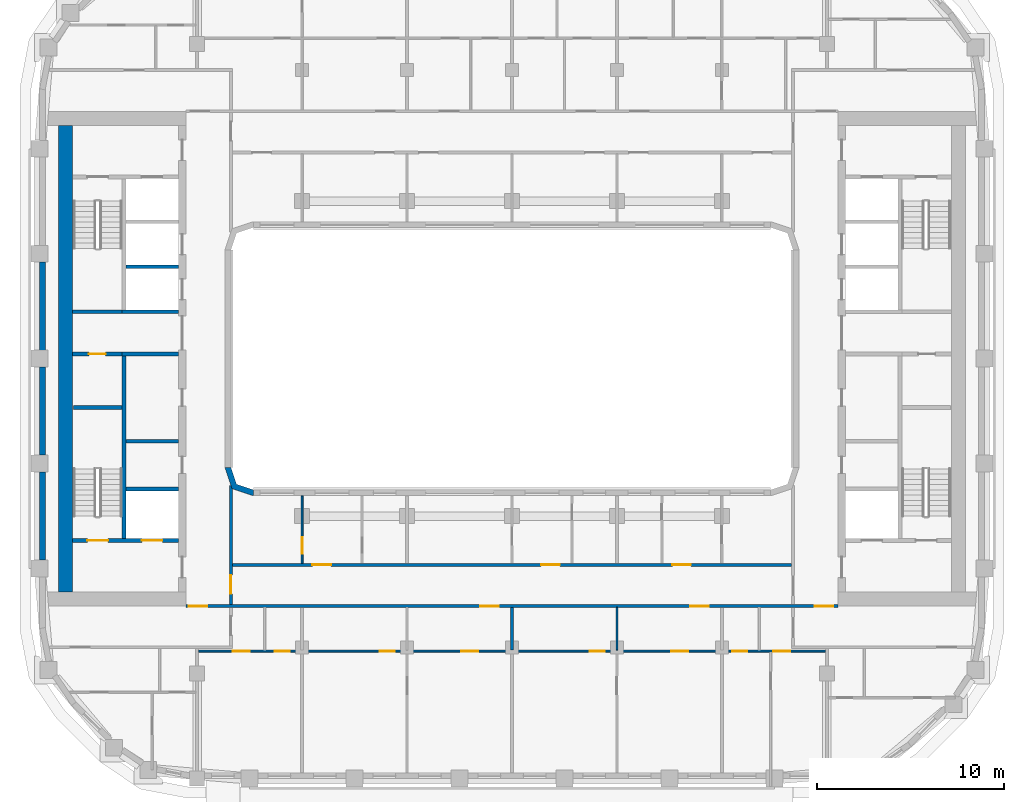
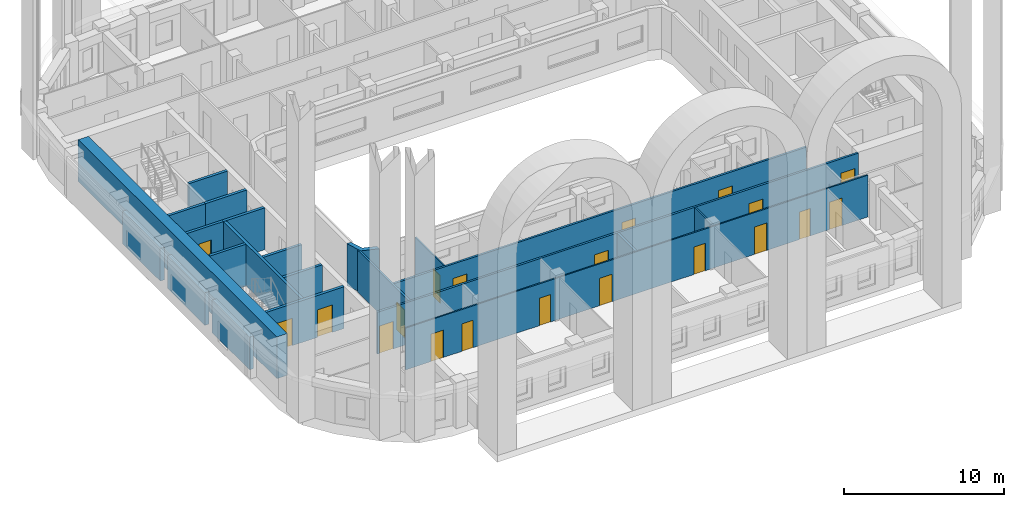
# One storey, part 3 of 20: 22 walls, 20 doors, 20 openings.
"""IFC4 building model written with IfcOpenShell, lengths in metres."""

from ifc_helpers import new_model, si_unit, direction, frame, frame_2d, origin, place, context, subcontext, project, spatial, polyline, rectangle, outline, extrude, material, layer, layer_set, type_object, element, fill, save


model = new_model("IFC4")

# Units and contexts
model_context = context("Model", 3, precision=1e-05, world=origin(), true_north=direction((0.0, 1.0)))
body_context = subcontext(model_context, "Body", "Model", "MODEL_VIEW")
ifc_project = project(units=[si_unit("LENGTHUNIT", "METRE"), si_unit("AREAUNIT", "SQUARE_METRE"), si_unit("VOLUMEUNIT", "CUBIC_METRE"), si_unit("PLANEANGLEUNIT", "RADIAN"), si_unit("MASSUNIT", "GRAM", prefix="KILO")], contexts=[model_context])

# Site, building, storey
site_placement = place(None, origin())
site = spatial("IfcSite", under=ifc_project, at=site_placement, CompositionType="ELEMENT")
building_placement = place(site_placement, origin())
building = spatial("IfcBuilding", under=site, at=building_placement, Name="Kiln Ring Residences", CompositionType="ELEMENT")
storey_placement = place(building_placement, frame((0.0, 0.0, 188.89990234375)))
storey = spatial("IfcBuildingStorey", under=building, at=storey_placement, Name="L48", CompositionType="ELEMENT", Elevation=188.89990234375)

# Wall, opening, door
ifc_material_1 = material(Name="Gypsum board on steel studs", Category="steel")
ifc_layer_1 = layer(ifc_material_1, 0.199951171875)
ifc_layer_set_1 = layer_set([ifc_layer_1], Name="CORE-PARTITION-200")
wall_type_1 = type_object("IfcWallType", Name="CORE-PARTITION-200", PredefinedType="PARTITIONING", material=ifc_layer_set_1)
wall_1_placement = place(storey_placement, frame((-20.800048828125, 0.25, 0.0), z_axis=(0.0, 0.0, 1.0), x_axis=(-1.0, 0.0, 0.0)))
wall_1 = element("IfcWall", 1, at=wall_1_placement, inside=storey, type_object=wall_type_1, Name="Core partition west L48 1", PredefinedType="PARTITIONING", context=body_context, shape_type="SweptSolid", body=[
    extrude(rectangle(XDim=2.64990234375, YDim=0.199951171875, at=frame_2d((1.324951171875, 0.0))), origin(), (0.0, 0.0, 1.0), 3.2001953125),
])
opening_1_placement = place(wall_1_placement, frame((0.875, 0.0, 0.0)))
opening_1 = element("IfcOpeningElement", 2, at=opening_1_placement, cuts=wall_1, Name="Opening L48-CW12", PredefinedType="OPENING", context=body_context, shape_type="SweptSolid", body=[
    extrude(rectangle(XDim=0.89990234375, YDim=2.10009765625, at=frame_2d((0.449951171875, 1.050048828125))), frame((0.0, 0.10986328125, 0.0), z_axis=(0.0, -1.0, 0.0), x_axis=(1.0, 0.0, 0.0)), (0.0, 0.0, 1.0), 0.219970703125),
])
ifc_material_2 = material(Name="Steel door leaf", Category="steel")
door_type_1 = type_object("IfcDoorType", Name="CORE-DOOR-ROOM", OperationType="SINGLE_SWING_LEFT", PredefinedType="DOOR", material=ifc_material_2)
door_1_placement = place(opening_1_placement, origin())
door_1 = element("IfcDoor", 3, at=door_1_placement, inside=storey, type_object=door_type_1, Name="Electrical riser room L48-CW12", OperationType="SINGLE_SWING_RIGHT", OverallHeight=2.10009765625, OverallWidth=0.89990234375, PredefinedType="DOOR", context=body_context, shape_type="SweptSolid", body=[
    extrude(rectangle(XDim=0.89990234375, YDim=2.10009765625, at=frame_2d((0.449951171875, 1.050048828125))), frame((0.0, 0.02490234375, 0.0), z_axis=(0.0, -1.0, 0.0), x_axis=(1.0, 0.0, 0.0)), (0.0, 0.0, 1.0), 0.050048828125),
])
fill(opening_1, door_1)

# Walls
wall_2_placement = place(storey_placement, frame((-17.800048828125, -4.39990234375, 0.0), z_axis=(0.0, 0.0, 1.0), x_axis=(-1.0, 0.0, 0.0)))
element("IfcWall", 4, at=wall_2_placement, inside=storey, type_object=wall_type_1, Name="Core partition west L48 2", PredefinedType="PARTITIONING", context=body_context, shape_type="SweptSolid", body=[
    extrude(rectangle(XDim=2.800048828125, YDim=0.199951171875, at=frame_2d((1.39990234375, 0.0))), origin(), (0.0, 0.0, 1.0), 3.2001953125),
])
ifc_material_3 = material(Name="Gypsum shaft wall system")
ifc_layer_2 = layer(ifc_material_3, 0.199951171875)
ifc_layer_set_2 = layer_set([ifc_layer_2], Name="CORE-SHAFT-WALL-200")
wall_type_2 = type_object("IfcWallType", Name="CORE-SHAFT-WALL-200", PredefinedType="PARTITIONING", material=ifc_layer_set_2)
wall_3_placement = place(storey_placement, frame((-17.800048828125, -6.949951171875, 0.0), z_axis=(0.0, 0.0, 1.0), x_axis=(-1.0, 0.0, 0.0)))
element("IfcWall", 5, at=wall_3_placement, inside=storey, type_object=wall_type_2, Name="Core partition west L48 3", PredefinedType="PARTITIONING", context=body_context, shape_type="SweptSolid", body=[
    extrude(rectangle(XDim=2.800048828125, YDim=0.199951171875, at=frame_2d((1.39990234375, 0.0))), origin(), (0.0, 0.0, 1.0), 3.2001953125),
])
for number, where, z_axis, x_axis, name in (
    (6, (-17.800048828125, 0.25, 0.0), (0.0, 0.0, 1.0), (-1.0, 0.0, 0.0), "Core partition west L48 4"),
    (7, (-17.800048828125, 2.5, 0.0), (0.0, 0.0, 1.0), (-1.0, 0.0, 0.0), "Core partition west L48 5"),
):
    element("IfcWall", number, at=place(storey_placement, frame(where, z_axis=z_axis, x_axis=x_axis)), inside=storey, type_object=wall_type_2, Name=name, PredefinedType="PARTITIONING", context=body_context, shape_type="SweptSolid", body=[
        extrude(rectangle(XDim=3.0, YDim=0.199951171875, at=frame_2d((1.5, 0.0))), origin(), (0.0, 0.0, 1.0), 3.2001953125),
    ])
wall_4_placement = place(storey_placement, frame((-17.800048828125, 4.89990234375, 0.0), z_axis=(0.0, 0.0, 1.0), x_axis=(-1.0, 0.0, 0.0)))
element("IfcWall", 8, at=wall_4_placement, inside=storey, type_object=wall_type_2, Name="Core partition west L48 6", PredefinedType="PARTITIONING", context=body_context, shape_type="SweptSolid", body=[
    extrude(rectangle(XDim=2.800048828125, YDim=0.199951171875, at=frame_2d((1.39990234375, 0.0))), origin(), (0.0, 0.0, 1.0), 3.2001953125),
])
ifc_material_4 = material(Name="Concrete C40/50", Category="concrete")
ifc_layer_3 = layer(ifc_material_4, 0.199951171875)
ifc_layer_set_3 = layer_set([ifc_layer_3], Name="CORE-WALL-RC200")
wall_type_3 = type_object("IfcWallType", Name="CORE-WALL-RC200", PredefinedType="SHEAR", material=ifc_layer_set_3)
wall_5_placement = place(storey_placement, frame((-20.699951171875, -9.60009765625, 0.0), z_axis=(0.0, 0.0, 1.0), x_axis=(0.0, 1.0, 0.0)))
element("IfcWall", 9, at=wall_5_placement, inside=storey, type_object=wall_type_3, Name="Core wall west L48 2", PredefinedType="SHEAR", context=body_context, shape_type="SweptSolid", body=[
    extrude(rectangle(XDim=9.75, YDim=0.199951171875, at=frame_2d((4.875, 0.0))), origin(), (0.0, 0.0, 1.0), 3.2001953125),
])
wall_6_placement = place(storey_placement, frame((-20.800048828125, 2.5, 0.0), z_axis=(0.0, 0.0, 1.0), x_axis=(-1.0, 0.0, 0.0)))
element("IfcWall", 10, at=wall_6_placement, inside=storey, type_object=wall_type_3, Name="Core wall west L48 3", PredefinedType="SHEAR", context=body_context, shape_type="SweptSolid", body=[
    extrude(rectangle(XDim=2.64990234375, YDim=0.199951171875, at=frame_2d((1.324951171875, 0.0))), origin(), (0.0, 0.0, 1.0), 3.2001953125),
])

# Wall, openings, doors
wall_7_placement = place(storey_placement, frame((-17.800048828125, -9.699951171875, 0.0), z_axis=(0.0, 0.0, 1.0), x_axis=(-1.0, 0.0, 0.0)))
wall_7 = element("IfcWall", 11, at=wall_7_placement, inside=storey, type_object=wall_type_3, Name="Core wall west L48 8", PredefinedType="SHEAR", context=body_context, shape_type="SweptSolid", body=[
    extrude(rectangle(XDim=5.64990234375, YDim=0.199951171875, at=frame_2d((2.824951171875, 0.0))), origin(), (0.0, 0.0, 1.0), 3.2001953125),
])
opening_2_placement = place(wall_7_placement, frame((0.85009765625, 0.0, 0.0)))
opening_2 = element("IfcOpeningElement", 12, at=opening_2_placement, cuts=wall_7, Name="Opening L48-CW01", PredefinedType="OPENING", context=body_context, shape_type="SweptSolid", body=[
    extrude(rectangle(XDim=1.10009765625, YDim=2.10009765625, at=frame_2d((0.550048828125, 1.050048828125))), frame((0.0, 0.10986328125, 0.0), z_axis=(0.0, -1.0, 0.0), x_axis=(1.0, 0.0, 0.0)), (0.0, 0.0, 1.0), 0.219970703125),
])
opening_3_placement = place(wall_7_placement, frame((3.75, 0.0, 0.0)))
opening_3 = element("IfcOpeningElement", 13, at=opening_3_placement, cuts=wall_7, Name="Opening L48-CW10", PredefinedType="OPENING", context=body_context, shape_type="SweptSolid", body=[
    extrude(rectangle(XDim=1.10009765625, YDim=2.10009765625, at=frame_2d((0.550048828125, 1.050048828125))), frame((0.0, 0.10986328125, 0.0), z_axis=(0.0, -1.0, 0.0), x_axis=(1.0, 0.0, 0.0)), (0.0, 0.0, 1.0), 0.219970703125),
])
ifc_material_5 = material(Name="Steel door leaf", Category="steel")
door_type_2 = type_object("IfcDoorType", Name="CORE-DOOR-LD", OperationType="DOUBLE_DOOR_SLIDING", PredefinedType="DOOR", material=ifc_material_5)
door_2_placement = place(opening_2_placement, origin())
door_2 = element("IfcDoor", 14, at=door_2_placement, inside=storey, type_object=door_type_2, Name="LD W-SV L48-CW01", OperationType="DOUBLE_DOOR_SLIDING", OverallHeight=2.10009765625, OverallWidth=1.10009765625, PredefinedType="DOOR", context=body_context, shape_type="SweptSolid", body=[
    extrude(rectangle(XDim=1.10009765625, YDim=2.10009765625, at=frame_2d((0.550048828125, 1.050048828125))), frame((0.0, 0.02490234375, 0.0), z_axis=(0.0, -1.0, 0.0), x_axis=(1.0, 0.0, 0.0)), (0.0, 0.0, 1.0), 0.050048828125),
])
fill(opening_2, door_2)
ifc_material_6 = material(Name="Steel door leaf", Category="steel")
door_type_3 = type_object("IfcDoorType", Name="CORE-DOOR-STAIR", OperationType="SINGLE_SWING_LEFT", PredefinedType="DOOR", material=ifc_material_6)
door_3_placement = place(opening_3_placement, origin())
door_3 = element("IfcDoor", 15, at=door_3_placement, inside=storey, type_object=door_type_3, Name="Stair W-STS L48-CW10", OperationType="SINGLE_SWING_LEFT", OverallHeight=2.10009765625, OverallWidth=1.10009765625, PredefinedType="DOOR", context=body_context, shape_type="SweptSolid", body=[
    extrude(rectangle(XDim=1.10009765625, YDim=2.10009765625, at=frame_2d((0.550048828125, 1.050048828125))), frame((0.0, 0.02490234375, 0.0), z_axis=(0.0, -1.0, 0.0), x_axis=(1.0, 0.0, 0.0)), (0.0, 0.0, 1.0), 0.050048828125),
])
fill(opening_3, door_3)

# Walls
wall_8_placement = place(storey_placement, frame((-20.800048828125, -2.60009765625, 0.0), z_axis=(0.0, 0.0, 1.0), x_axis=(-1.0, 0.0, 0.0)))
element("IfcWall", 16, at=wall_8_placement, inside=storey, type_object=wall_type_3, Name="Core wall west L48 10", PredefinedType="SHEAR", context=body_context, shape_type="SweptSolid", body=[
    extrude(rectangle(XDim=2.599853515625, YDim=0.199951171875, at=frame_2d((1.2998046875, 0.0))), origin(), (0.0, 0.0, 1.0), 3.2001953125),
])
ifc_material_7 = material(Name="Concrete C60/75", Category="concrete")
ifc_layer_4 = layer(ifc_material_7, 0.75)
ifc_layer_set_4 = layer_set([ifc_layer_4], Name="CORE-WALL-RC750")
wall_type_4 = type_object("IfcWallType", Name="CORE-WALL-RC750", PredefinedType="SHEAR", material=ifc_layer_set_4)
wall_9_placement = place(storey_placement, frame((-23.824951171875, -12.449951171875, 0.0), z_axis=(0.0, 0.0, 1.0), x_axis=(0.0, 1.0, 0.0)))
element("IfcWall", 17, at=wall_9_placement, inside=storey, type_object=wall_type_4, Name="Core wall west L48 7", PredefinedType="SHEAR", context=body_context, shape_type="SweptSolid", body=[
    extrude(rectangle(XDim=24.89990234375, YDim=0.75, at=frame_2d((12.449951171875, 0.0))), origin(), (0.0, 0.0, 1.0), 3.2001953125),
])
ifc_material_8 = material(Name="Brick masonry, dark clay brick", Category="masonry")
ifc_layer_5 = layer(ifc_material_8, 0.300048828125)
ifc_layer_set_5 = layer_set([ifc_layer_5], Name="EW-300 BRICK WALL")
wall_type_5 = type_object("IfcWallType", Name="EW-300 BRICK WALL", PredefinedType="SOLIDWALL", material=ifc_layer_set_5)
for number, where, z_axis, x_axis, name in (
    (18, (-25.050048828125, 5.14990234375, 0.0), (0.0, 0.0, 1.0), (0.0, -1.0, 0.0), "Facade wall L48 41"),
    (19, (-25.050048828125, -0.449951171875, 0.0), (0.0, 0.0, 1.0), (0.0, -1.0, 0.0), "Facade wall L48 42"),
    (20, (-25.050048828125, -6.050048828125, 0.0), (0.0, 0.0, 1.0), (0.0, -1.0, 0.0), "Facade wall L48 43"),
):
    element("IfcWall", number, at=place(storey_placement, frame(where, z_axis=z_axis, x_axis=x_axis)), inside=storey, type_object=wall_type_5, Name=name, PredefinedType="SOLIDWALL", context=body_context, shape_type="SweptSolid", body=[
        extrude(rectangle(XDim=4.699951171875, YDim=0.300048828125, at=frame_2d((2.35009765625, 0.0))), origin(), (0.0, 0.0, 1.0), 2.5),
    ])
wall_10_placement = place(storey_placement, origin())
element("IfcWall", 21, at=wall_10_placement, inside=storey, type_object=wall_type_5, Name="Corner wall L48 4", PredefinedType="SOLIDWALL", context=body_context, shape_type="SweptSolid", body=[
    extrude(outline(polyline([(-14.937255859375, -6.937255859375), (-13.8486328125, -7.300048828125), (-13.800048828125, -7.300048828125), (-13.800048828125, -7.0), (-14.699951171875, -6.699951171875), (-15.0, -5.800048828125), (-15.300048828125, -5.800048828125), (-15.300048828125, -5.8486328125), (-14.937255859375, -6.937255859375)])), origin(), (0.0, 0.0, 1.0), 3.2001953125),
])

# Wall, openings, doors
ifc_material_9 = material(Name="Gypsum board on steel studs", Category="steel")
ifc_layer_6 = layer(ifc_material_9, 0.10009765625)
ifc_layer_set_6 = layer_set([ifc_layer_6], Name="PARTITION-100")
wall_type_6 = type_object("IfcWallType", Name="PARTITION-100", PredefinedType="PARTITIONING", material=ifc_layer_set_6)
wall_11_placement = place(storey_placement, frame((-16.72509765625, -15.60009765625, 0.0), z_axis=(0.0, 0.0, 1.0), x_axis=(1.0, 0.0, 0.0)))
wall_11 = element("IfcWall", 22, at=wall_11_placement, inside=storey, type_object=wall_type_6, Name="Partition 002", PredefinedType="PARTITIONING", context=body_context, shape_type="SweptSolid", body=[
    extrude(rectangle(XDim=33.4501953125, YDim=0.10009765625, at=frame_2d((16.72509765625, 0.0))), origin(), (0.0, 0.0, 1.0), 3.2001953125),
])
opening_4_placement = place(wall_11_placement, frame((4.074951171875, 0.0, 0.0)))
opening_4 = element("IfcOpeningElement", 23, at=opening_4_placement, cuts=wall_11, Name="Opening L48-D048", PredefinedType="OPENING", context=body_context, shape_type="SweptSolid", body=[
    extrude(rectangle(XDim=0.800048828125, YDim=2.10009765625, at=frame_2d((0.39990234375, 1.050048828125))), frame((0.0, 0.06005859375, 0.0), z_axis=(0.0, -1.0, 0.0), x_axis=(1.0, 0.0, 0.0)), (0.0, 0.0, 1.0), 0.1201171875),
])
opening_5_placement = place(wall_11_placement, frame((1.824951171875, 0.0, 0.0)))
opening_5 = element("IfcOpeningElement", 24, at=opening_5_placement, cuts=wall_11, Name="Opening L48-D049", PredefinedType="OPENING", context=body_context, shape_type="SweptSolid", body=[
    extrude(rectangle(XDim=0.89990234375, YDim=2.10009765625, at=frame_2d((0.449951171875, 1.050048828125))), frame((0.0, 0.06005859375, 0.0), z_axis=(0.0, -1.0, 0.0), x_axis=(1.0, 0.0, 0.0)), (0.0, 0.0, 1.0), 0.1201171875),
])
opening_6_placement = place(wall_11_placement, frame((9.675048828125, 0.0, 0.0)))
opening_6 = element("IfcOpeningElement", 25, at=opening_6_placement, cuts=wall_11, Name="Opening L48-D051", PredefinedType="OPENING", context=body_context, shape_type="SweptSolid", body=[
    extrude(rectangle(XDim=0.800048828125, YDim=2.10009765625, at=frame_2d((0.39990234375, 1.050048828125))), frame((0.0, 0.06005859375, 0.0), z_axis=(0.0, -1.0, 0.0), x_axis=(1.0, 0.0, 0.0)), (0.0, 0.0, 1.0), 0.1201171875),
])
opening_7_placement = place(wall_11_placement, frame((14.02490234375, 0.0, 0.0)))
opening_7 = element("IfcOpeningElement", 26, at=opening_7_placement, cuts=wall_11, Name="Opening L48-D052", PredefinedType="OPENING", context=body_context, shape_type="SweptSolid", body=[
    extrude(rectangle(XDim=0.89990234375, YDim=2.10009765625, at=frame_2d((0.449951171875, 1.050048828125))), frame((0.0, 0.06005859375, 0.0), z_axis=(0.0, -1.0, 0.0), x_axis=(1.0, 0.0, 0.0)), (0.0, 0.0, 1.0), 0.1201171875),
])
opening_8_placement = place(wall_11_placement, frame((20.875, 0.0, 0.0)))
opening_8 = element("IfcOpeningElement", 27, at=opening_8_placement, cuts=wall_11, Name="Opening L48-D055", PredefinedType="OPENING", context=body_context, shape_type="SweptSolid", body=[
    extrude(rectangle(XDim=0.800048828125, YDim=2.10009765625, at=frame_2d((0.39990234375, 1.050048828125))), frame((0.0, 0.06005859375, 0.0), z_axis=(0.0, -1.0, 0.0), x_axis=(1.0, 0.0, 0.0)), (0.0, 0.0, 1.0), 0.1201171875),
])
opening_9_placement = place(wall_11_placement, frame((25.22509765625, 0.0, 0.0)))
opening_9 = element("IfcOpeningElement", 28, at=opening_9_placement, cuts=wall_11, Name="Opening L48-D056", PredefinedType="OPENING", context=body_context, shape_type="SweptSolid", body=[
    extrude(rectangle(XDim=0.89990234375, YDim=2.10009765625, at=frame_2d((0.449951171875, 1.050048828125))), frame((0.0, 0.06005859375, 0.0), z_axis=(0.0, -1.0, 0.0), x_axis=(1.0, 0.0, 0.0)), (0.0, 0.0, 1.0), 0.1201171875),
])
opening_10_placement = place(wall_11_placement, frame((28.47509765625, 0.0, 0.0)))
opening_10 = element("IfcOpeningElement", 29, at=opening_10_placement, cuts=wall_11, Name="Opening L48-D059", PredefinedType="OPENING", context=body_context, shape_type="SweptSolid", body=[
    extrude(rectangle(XDim=0.800048828125, YDim=2.10009765625, at=frame_2d((0.39990234375, 1.050048828125))), frame((0.0, 0.06005859375, 0.0), z_axis=(0.0, -1.0, 0.0), x_axis=(1.0, 0.0, 0.0)), (0.0, 0.0, 1.0), 0.1201171875),
])
opening_11_placement = place(wall_11_placement, frame((30.675048828125, 0.0, 0.0)))
opening_11 = element("IfcOpeningElement", 30, at=opening_11_placement, cuts=wall_11, Name="Opening L48-D060", PredefinedType="OPENING", context=body_context, shape_type="SweptSolid", body=[
    extrude(rectangle(XDim=0.89990234375, YDim=2.10009765625, at=frame_2d((0.449951171875, 1.050048828125))), frame((0.0, 0.06005859375, 0.0), z_axis=(0.0, -1.0, 0.0), x_axis=(1.0, 0.0, 0.0)), (0.0, 0.0, 1.0), 0.1201171875),
])
ifc_material_10 = material(Name="Timber door leaf", Category="wood")
door_type_4 = type_object("IfcDoorType", Name="FLAT-DOOR-800-PL", OperationType="SINGLE_SWING_LEFT", PredefinedType="DOOR", material=ifc_material_10)
door_4_placement = place(opening_4_placement, origin())
door_4 = element("IfcDoor", 31, at=door_4_placement, inside=storey, type_object=door_type_4, Name="Door L48-D048", OperationType="SINGLE_SWING_RIGHT", OverallHeight=2.10009765625, OverallWidth=0.800048828125, PredefinedType="DOOR", context=body_context, shape_type="SweptSolid", body=[
    extrude(rectangle(XDim=0.800048828125, YDim=2.10009765625, at=frame_2d((0.39990234375, 1.050048828125))), frame((0.0, 0.02490234375, 0.0), z_axis=(0.0, -1.0, 0.0), x_axis=(1.0, 0.0, 0.0)), (0.0, 0.0, 1.0), 0.050048828125),
])
fill(opening_4, door_4)
door_5_placement = place(opening_6_placement, origin())
door_5 = element("IfcDoor", 32, at=door_5_placement, inside=storey, type_object=door_type_4, Name="Door L48-D051", OperationType="SINGLE_SWING_LEFT", OverallHeight=2.10009765625, OverallWidth=0.800048828125, PredefinedType="DOOR", context=body_context, shape_type="SweptSolid", body=[
    extrude(rectangle(XDim=0.800048828125, YDim=2.10009765625, at=frame_2d((0.39990234375, 1.050048828125))), frame((0.0, 0.02490234375, 0.0), z_axis=(0.0, -1.0, 0.0), x_axis=(1.0, 0.0, 0.0)), (0.0, 0.0, 1.0), 0.050048828125),
])
fill(opening_6, door_5)
door_6_placement = place(opening_8_placement, origin())
door_6 = element("IfcDoor", 33, at=door_6_placement, inside=storey, type_object=door_type_4, Name="Door L48-D055", OperationType="SINGLE_SWING_LEFT", OverallHeight=2.10009765625, OverallWidth=0.800048828125, PredefinedType="DOOR", context=body_context, shape_type="SweptSolid", body=[
    extrude(rectangle(XDim=0.800048828125, YDim=2.10009765625, at=frame_2d((0.39990234375, 1.050048828125))), frame((0.0, 0.02490234375, 0.0), z_axis=(0.0, -1.0, 0.0), x_axis=(1.0, 0.0, 0.0)), (0.0, 0.0, 1.0), 0.050048828125),
])
fill(opening_8, door_6)
door_7_placement = place(opening_10_placement, origin())
door_7 = element("IfcDoor", 34, at=door_7_placement, inside=storey, type_object=door_type_4, Name="Door L48-D059", OperationType="SINGLE_SWING_LEFT", OverallHeight=2.10009765625, OverallWidth=0.800048828125, PredefinedType="DOOR", context=body_context, shape_type="SweptSolid", body=[
    extrude(rectangle(XDim=0.800048828125, YDim=2.10009765625, at=frame_2d((0.39990234375, 1.050048828125))), frame((0.0, 0.02490234375, 0.0), z_axis=(0.0, -1.0, 0.0), x_axis=(1.0, 0.0, 0.0)), (0.0, 0.0, 1.0), 0.050048828125),
])
fill(opening_10, door_7)
ifc_material_11 = material(Name="Timber door leaf", Category="wood")
door_type_5 = type_object("IfcDoorType", Name="FLAT-DOOR-900-PL", OperationType="SINGLE_SWING_LEFT", PredefinedType="DOOR", material=ifc_material_11)
door_8_placement = place(opening_5_placement, origin())
door_8 = element("IfcDoor", 35, at=door_8_placement, inside=storey, type_object=door_type_5, Name="Door L48-D049", OperationType="SINGLE_SWING_RIGHT", OverallHeight=2.10009765625, OverallWidth=0.89990234375, PredefinedType="DOOR", context=body_context, shape_type="SweptSolid", body=[
    extrude(rectangle(XDim=0.89990234375, YDim=2.10009765625, at=frame_2d((0.449951171875, 1.050048828125))), frame((0.0, 0.02490234375, 0.0), z_axis=(0.0, -1.0, 0.0), x_axis=(1.0, 0.0, 0.0)), (0.0, 0.0, 1.0), 0.050048828125),
])
fill(opening_5, door_8)
door_9_placement = place(opening_7_placement, origin())
door_9 = element("IfcDoor", 36, at=door_9_placement, inside=storey, type_object=door_type_5, Name="Door L48-D052", OperationType="SINGLE_SWING_RIGHT", OverallHeight=2.10009765625, OverallWidth=0.89990234375, PredefinedType="DOOR", context=body_context, shape_type="SweptSolid", body=[
    extrude(rectangle(XDim=0.89990234375, YDim=2.10009765625, at=frame_2d((0.449951171875, 1.050048828125))), frame((0.0, 0.02490234375, 0.0), z_axis=(0.0, -1.0, 0.0), x_axis=(1.0, 0.0, 0.0)), (0.0, 0.0, 1.0), 0.050048828125),
])
fill(opening_7, door_9)
door_10_placement = place(opening_9_placement, origin())
door_10 = element("IfcDoor", 37, at=door_10_placement, inside=storey, type_object=door_type_5, Name="Door L48-D056", OperationType="SINGLE_SWING_RIGHT", OverallHeight=2.10009765625, OverallWidth=0.89990234375, PredefinedType="DOOR", context=body_context, shape_type="SweptSolid", body=[
    extrude(rectangle(XDim=0.89990234375, YDim=2.10009765625, at=frame_2d((0.449951171875, 1.050048828125))), frame((0.0, 0.02490234375, 0.0), z_axis=(0.0, -1.0, 0.0), x_axis=(1.0, 0.0, 0.0)), (0.0, 0.0, 1.0), 0.050048828125),
])
fill(opening_9, door_10)
door_11_placement = place(opening_11_placement, origin())
door_11 = element("IfcDoor", 38, at=door_11_placement, inside=storey, type_object=door_type_5, Name="Door L48-D060", OperationType="SINGLE_SWING_LEFT", OverallHeight=2.10009765625, OverallWidth=0.89990234375, PredefinedType="DOOR", context=body_context, shape_type="SweptSolid", body=[
    extrude(rectangle(XDim=0.89990234375, YDim=2.10009765625, at=frame_2d((0.449951171875, 1.050048828125))), frame((0.0, 0.02490234375, 0.0), z_axis=(0.0, -1.0, 0.0), x_axis=(1.0, 0.0, 0.0)), (0.0, 0.0, 1.0), 0.050048828125),
])
fill(opening_11, door_11)

# Wall, opening, door
wall_12_placement = place(storey_placement, frame((-11.199951171875, -10.925048828125, 0.0), z_axis=(0.0, 0.0, 1.0), x_axis=(0.0, 1.0, 0.0)))
wall_12 = element("IfcWall", 39, at=wall_12_placement, inside=storey, type_object=wall_type_6, Name="Partition 024", PredefinedType="PARTITIONING", context=body_context, shape_type="SweptSolid", body=[
    extrude(rectangle(XDim=3.60498046875, YDim=0.10009765625, at=frame_2d((1.802490234375, 0.0))), origin(), (0.0, 0.0, 1.0), 3.2001953125),
])
opening_12_placement = place(wall_12_placement, frame((0.5048828125, 0.0, 0.0)))
opening_12 = element("IfcOpeningElement", 40, at=opening_12_placement, cuts=wall_12, Name="Opening L48-D040", PredefinedType="OPENING", context=body_context, shape_type="SweptSolid", body=[
    extrude(rectangle(XDim=0.89990234375, YDim=2.10009765625, at=frame_2d((0.449951171875, 1.050048828125))), frame((0.0, 0.06005859375, 0.0), z_axis=(0.0, -1.0, 0.0), x_axis=(1.0, 0.0, 0.0)), (0.0, 0.0, 1.0), 0.1201171875),
])
door_12_placement = place(opening_12_placement, origin())
door_12 = element("IfcDoor", 41, at=door_12_placement, inside=storey, type_object=door_type_5, Name="Door L48-D040", OperationType="SINGLE_SWING_RIGHT", OverallHeight=2.10009765625, OverallWidth=0.89990234375, PredefinedType="DOOR", context=body_context, shape_type="SweptSolid", body=[
    extrude(rectangle(XDim=0.89990234375, YDim=2.10009765625, at=frame_2d((0.449951171875, 1.050048828125))), frame((0.0, 0.02490234375, 0.0), z_axis=(0.0, -1.0, 0.0), x_axis=(1.0, 0.0, 0.0)), (0.0, 0.0, 1.0), 0.050048828125),
])
fill(opening_12, door_12)

# Wall
wall_13_placement = place(storey_placement, frame((5.60009765625, -15.550048828125, 0.0), z_axis=(0.0, 0.0, 1.0), x_axis=(0.0, 1.0, 0.0)))
element("IfcWall", 42, at=wall_13_placement, inside=storey, type_object=wall_type_6, Name="Partition 048", PredefinedType="PARTITIONING", context=body_context, shape_type="SweptSolid", body=[
    extrude(rectangle(XDim=2.275146484375, YDim=0.10009765625, at=frame_2d((1.1376953125, 0.0))), origin(), (0.0, 0.0, 1.0), 3.2001953125),
])

# Wall, openings, doors
ifc_material_12 = material(Name="Brick masonry partition", Category="masonry")
ifc_layer_7 = layer(ifc_material_12, 0.14990234375)
ifc_layer_set_7 = layer_set([ifc_layer_7], Name="PARTITION-150-ei60")
wall_type_7 = type_object("IfcWallType", Name="PARTITION-150-ei60", PredefinedType="PARTITIONING", material=ifc_layer_set_7)
wall_14_placement = place(storey_placement, frame((-17.39990234375, -13.199951171875, 0.0), z_axis=(0.0, 0.0, 1.0), x_axis=(1.0, 0.0, 0.0)))
wall_14 = element("IfcWall", 43, at=wall_14_placement, inside=storey, type_object=wall_type_7, Name="Partition 005", PredefinedType="PARTITIONING", context=body_context, shape_type="SweptSolid", body=[
    extrude(rectangle(XDim=34.7998046875, YDim=0.14990234375, at=frame_2d((17.39990234375, 0.0))), origin(), (0.0, 0.0, 1.0), 3.2001953125),
])
opening_13_placement = place(wall_14_placement, frame((0.14990234375, 0.0, 0.0)))
opening_13 = element("IfcOpeningElement", 44, at=opening_13_placement, cuts=wall_14, Name="Opening L48-D007", PredefinedType="OPENING", context=body_context, shape_type="SweptSolid", body=[
    extrude(rectangle(XDim=1.0, YDim=2.10009765625, at=frame_2d((0.5, 1.050048828125))), frame((0.0, 0.0849609375, 0.0), z_axis=(0.0, -1.0, 0.0), x_axis=(1.0, 0.0, 0.0)), (0.0, 0.0, 1.0), 0.169921875),
])
opening_14_placement = place(wall_14_placement, frame((33.550048828125, 0.0, 0.0)))
opening_14 = element("IfcOpeningElement", 45, at=opening_14_placement, cuts=wall_14, Name="Opening L48-D008", PredefinedType="OPENING", context=body_context, shape_type="SweptSolid", body=[
    extrude(rectangle(XDim=1.0, YDim=2.10009765625, at=frame_2d((0.5, 1.050048828125))), frame((0.0, 0.0849609375, 0.0), z_axis=(0.0, -1.0, 0.0), x_axis=(1.0, 0.0, 0.0)), (0.0, 0.0, 1.0), 0.169921875),
])
opening_15_placement = place(wall_14_placement, frame((15.699951171875, 0.0, 0.0)))
opening_15 = element("IfcOpeningElement", 46, at=opening_15_placement, cuts=wall_14, Name="Opening L48-D050", PredefinedType="OPENING", context=body_context, shape_type="SweptSolid", body=[
    extrude(rectangle(XDim=1.0, YDim=2.10009765625, at=frame_2d((0.5, 1.050048828125))), frame((0.0, 0.0849609375, 0.0), z_axis=(0.0, -1.0, 0.0), x_axis=(1.0, 0.0, 0.0)), (0.0, 0.0, 1.0), 0.169921875),
])
opening_16_placement = place(wall_14_placement, frame((26.89990234375, 0.0, 0.0)))
opening_16 = element("IfcOpeningElement", 47, at=opening_16_placement, cuts=wall_14, Name="Opening L48-D054", PredefinedType="OPENING", context=body_context, shape_type="SweptSolid", body=[
    extrude(rectangle(XDim=1.0, YDim=2.10009765625, at=frame_2d((0.5, 1.050048828125))), frame((0.0, 0.0849609375, 0.0), z_axis=(0.0, -1.0, 0.0), x_axis=(1.0, 0.0, 0.0)), (0.0, 0.0, 1.0), 0.169921875),
])
ifc_material_13 = material(Name="Steel faced fire door leaf", Category="steel")
door_type_6 = type_object("IfcDoorType", Name="FLAT-DOOR-1000-FR", OperationType="SINGLE_SWING_LEFT", PredefinedType="DOOR", material=ifc_material_13)
door_13_placement = place(opening_13_placement, origin())
door_13 = element("IfcDoor", 48, at=door_13_placement, inside=storey, type_object=door_type_6, Name="Door L48-D007", OperationType="SINGLE_SWING_RIGHT", OverallHeight=2.10009765625, OverallWidth=1.0, PredefinedType="DOOR", context=body_context, shape_type="SweptSolid", body=[
    extrude(rectangle(XDim=1.0, YDim=2.10009765625, at=frame_2d((0.5, 1.050048828125))), frame((0.0, 0.02490234375, 0.0), z_axis=(0.0, -1.0, 0.0), x_axis=(1.0, 0.0, 0.0)), (0.0, 0.0, 1.0), 0.050048828125),
])
fill(opening_13, door_13)
door_14_placement = place(opening_14_placement, origin())
door_14 = element("IfcDoor", 49, at=door_14_placement, inside=storey, type_object=door_type_6, Name="Door L48-D008", OperationType="SINGLE_SWING_LEFT", OverallHeight=2.10009765625, OverallWidth=1.0, PredefinedType="DOOR", context=body_context, shape_type="SweptSolid", body=[
    extrude(rectangle(XDim=1.0, YDim=2.10009765625, at=frame_2d((0.5, 1.050048828125))), frame((0.0, 0.02490234375, 0.0), z_axis=(0.0, -1.0, 0.0), x_axis=(1.0, 0.0, 0.0)), (0.0, 0.0, 1.0), 0.050048828125),
])
fill(opening_14, door_14)
door_15_placement = place(opening_15_placement, origin())
door_15 = element("IfcDoor", 50, at=door_15_placement, inside=storey, type_object=door_type_6, Name="Door L48-D050", OperationType="SINGLE_SWING_RIGHT", OverallHeight=2.10009765625, OverallWidth=1.0, PredefinedType="DOOR", context=body_context, shape_type="SweptSolid", body=[
    extrude(rectangle(XDim=1.0, YDim=2.10009765625, at=frame_2d((0.5, 1.050048828125))), frame((0.0, 0.02490234375, 0.0), z_axis=(0.0, -1.0, 0.0), x_axis=(1.0, 0.0, 0.0)), (0.0, 0.0, 1.0), 0.050048828125),
])
fill(opening_15, door_15)
door_16_placement = place(opening_16_placement, origin())
door_16 = element("IfcDoor", 51, at=door_16_placement, inside=storey, type_object=door_type_6, Name="Door L48-D054", OperationType="SINGLE_SWING_RIGHT", OverallHeight=2.10009765625, OverallWidth=1.0, PredefinedType="DOOR", context=body_context, shape_type="SweptSolid", body=[
    extrude(rectangle(XDim=1.0, YDim=2.10009765625, at=frame_2d((0.5, 1.050048828125))), frame((0.0, 0.02490234375, 0.0), z_axis=(0.0, -1.0, 0.0), x_axis=(1.0, 0.0, 0.0)), (0.0, 0.0, 1.0), 0.050048828125),
])
fill(opening_16, door_16)

wall_15_placement = place(storey_placement, frame((-14.925048828125, -11.0, 0.0), z_axis=(0.0, 0.0, 1.0), x_axis=(1.0, 0.0, 0.0)))
wall_15 = element("IfcWall", 52, at=wall_15_placement, inside=storey, type_object=wall_type_7, Name="Partition 006", PredefinedType="PARTITIONING", context=body_context, shape_type="SweptSolid", body=[
    extrude(rectangle(XDim=29.85009765625, YDim=0.14990234375, at=frame_2d((14.925048828125, 0.0))), origin(), (0.0, 0.0, 1.0), 3.2001953125),
])
opening_17_placement = place(wall_15_placement, frame((4.27490234375, 0.0, 0.0)))
opening_17 = element("IfcOpeningElement", 53, at=opening_17_placement, cuts=wall_15, Name="Opening L48-D038", PredefinedType="OPENING", context=body_context, shape_type="SweptSolid", body=[
    extrude(rectangle(XDim=1.0, YDim=2.10009765625, at=frame_2d((0.5, 1.050048828125))), frame((0.0, 0.0849609375, 0.0), z_axis=(0.0, -1.0, 0.0), x_axis=(1.0, 0.0, 0.0)), (0.0, 0.0, 1.0), 0.169921875),
])
opening_18_placement = place(wall_15_placement, frame((16.47509765625, 0.0, 0.0)))
opening_18 = element("IfcOpeningElement", 54, at=opening_18_placement, cuts=wall_15, Name="Opening L48-D041", PredefinedType="OPENING", context=body_context, shape_type="SweptSolid", body=[
    extrude(rectangle(XDim=1.0, YDim=2.10009765625, at=frame_2d((0.5, 1.050048828125))), frame((0.0, 0.0849609375, 0.0), z_axis=(0.0, -1.0, 0.0), x_axis=(1.0, 0.0, 0.0)), (0.0, 0.0, 1.0), 0.169921875),
])
opening_19_placement = place(wall_15_placement, frame((23.47509765625, 0.0, 0.0)))
opening_19 = element("IfcOpeningElement", 55, at=opening_19_placement, cuts=wall_15, Name="Opening L48-D044", PredefinedType="OPENING", context=body_context, shape_type="SweptSolid", body=[
    extrude(rectangle(XDim=1.0, YDim=2.10009765625, at=frame_2d((0.5, 1.050048828125))), frame((0.0, 0.0849609375, 0.0), z_axis=(0.0, -1.0, 0.0), x_axis=(1.0, 0.0, 0.0)), (0.0, 0.0, 1.0), 0.169921875),
])
door_17_placement = place(opening_17_placement, origin())
door_17 = element("IfcDoor", 56, at=door_17_placement, inside=storey, type_object=door_type_6, Name="Door L48-D038", OperationType="SINGLE_SWING_RIGHT", OverallHeight=2.10009765625, OverallWidth=1.0, PredefinedType="DOOR", context=body_context, shape_type="SweptSolid", body=[
    extrude(rectangle(XDim=1.0, YDim=2.10009765625, at=frame_2d((0.5, 1.050048828125))), frame((0.0, 0.02490234375, 0.0), z_axis=(0.0, -1.0, 0.0), x_axis=(1.0, 0.0, 0.0)), (0.0, 0.0, 1.0), 0.050048828125),
])
fill(opening_17, door_17)
door_18_placement = place(opening_18_placement, origin())
door_18 = element("IfcDoor", 57, at=door_18_placement, inside=storey, type_object=door_type_6, Name="Door L48-D041", OperationType="SINGLE_SWING_LEFT", OverallHeight=2.10009765625, OverallWidth=1.0, PredefinedType="DOOR", context=body_context, shape_type="SweptSolid", body=[
    extrude(rectangle(XDim=1.0, YDim=2.10009765625, at=frame_2d((0.5, 1.050048828125))), frame((0.0, 0.02490234375, 0.0), z_axis=(0.0, -1.0, 0.0), x_axis=(1.0, 0.0, 0.0)), (0.0, 0.0, 1.0), 0.050048828125),
])
fill(opening_18, door_18)
door_19_placement = place(opening_19_placement, origin())
door_19 = element("IfcDoor", 58, at=door_19_placement, inside=storey, type_object=door_type_6, Name="Door L48-D044", OperationType="SINGLE_SWING_RIGHT", OverallHeight=2.10009765625, OverallWidth=1.0, PredefinedType="DOOR", context=body_context, shape_type="SweptSolid", body=[
    extrude(rectangle(XDim=1.0, YDim=2.10009765625, at=frame_2d((0.5, 1.050048828125))), frame((0.0, 0.02490234375, 0.0), z_axis=(0.0, -1.0, 0.0), x_axis=(1.0, 0.0, 0.0)), (0.0, 0.0, 1.0), 0.050048828125),
])
fill(opening_19, door_19)

# Wall, opening, door
wall_16_placement = place(storey_placement, frame((-15.0, -13.125, 0.0), z_axis=(0.0, 0.0, 1.0), x_axis=(0.0, 1.0, 0.0)))
wall_16 = element("IfcWall", 59, at=wall_16_placement, inside=storey, type_object=wall_type_7, Name="Partition 020", PredefinedType="PARTITIONING", context=body_context, shape_type="SweptSolid", body=[
    extrude(rectangle(XDim=6.356201171875, YDim=0.14990234375, at=frame_2d((3.17822265625, 0.0))), origin(), (0.0, 0.0, 1.0), 3.2001953125),
])
opening_20_placement = place(wall_16_placement, frame((0.574951171875, 0.0, 0.0)))
opening_20 = element("IfcOpeningElement", 60, at=opening_20_placement, cuts=wall_16, Name="Opening L48-D005", PredefinedType="OPENING", context=body_context, shape_type="SweptSolid", body=[
    extrude(rectangle(XDim=1.0, YDim=2.10009765625, at=frame_2d((0.5, 1.050048828125))), frame((0.0, 0.0849609375, 0.0), z_axis=(0.0, -1.0, 0.0), x_axis=(1.0, 0.0, 0.0)), (0.0, 0.0, 1.0), 0.169921875),
])
door_20_placement = place(opening_20_placement, origin())
door_20 = element("IfcDoor", 61, at=door_20_placement, inside=storey, type_object=door_type_6, Name="Door L48-D005", OperationType="SINGLE_SWING_RIGHT", OverallHeight=2.10009765625, OverallWidth=1.0, PredefinedType="DOOR", context=body_context, shape_type="SweptSolid", body=[
    extrude(rectangle(XDim=1.0, YDim=2.10009765625, at=frame_2d((0.5, 1.050048828125))), frame((0.0, 0.02490234375, 0.0), z_axis=(0.0, -1.0, 0.0), x_axis=(1.0, 0.0, 0.0)), (0.0, 0.0, 1.0), 0.050048828125),
])
fill(opening_20, door_20)

# Wall
wall_17_placement = place(storey_placement, frame((0.0, -15.550048828125, 0.0), z_axis=(0.0, 0.0, 1.0), x_axis=(0.0, 1.0, 0.0)))
element("IfcWall", 62, at=wall_17_placement, inside=storey, type_object=wall_type_7, Name="Partition 041", PredefinedType="PARTITIONING", context=body_context, shape_type="SweptSolid", body=[
    extrude(rectangle(XDim=2.275146484375, YDim=0.14990234375, at=frame_2d((1.1376953125, 0.0))), origin(), (0.0, 0.0, 1.0), 3.2001953125),
])

save(model, "model.ifc")
